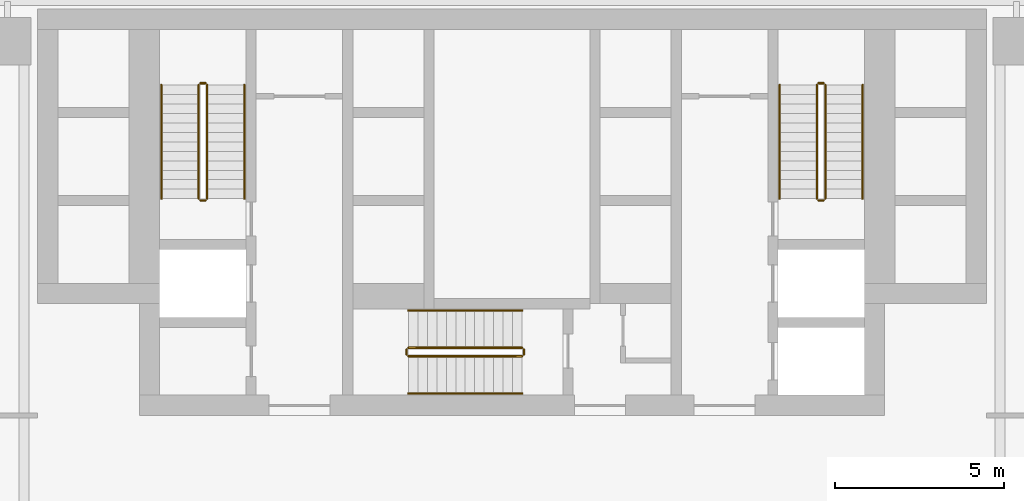
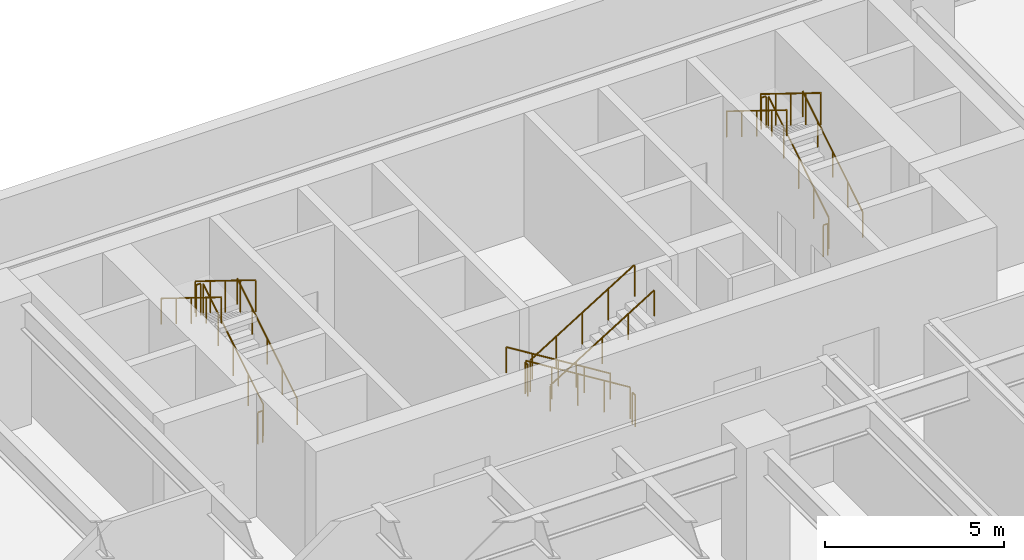
# One storey, part 20 of 20: 18 railings.
"""IFC4 building model written with IfcOpenShell, lengths in metres."""

import ifcopenshell
import ifcopenshell.guid

model = None  # the IFC model being written
_history = None  # IfcOwnerHistory: only IFC2X3 demands one
_inside = {}  # id of a spatial element -> (the spatial element, [elements in it])
_under = {}  # id of a project, library or spatial element -> (it, [spatial elements below it])
_declared = {}  # id of a project -> (the project, [libraries it declares])
_typed = {}  # id of a type object -> (the type object, [elements of that type])
_made_of = {}  # id of a material, layer set ... -> (it, [elements and type objects made of it])


def new_model(schema):
    """Start an empty IFC model of exactly this schema.

    Asked for "IFC4X3", IfcOpenShell would pick the latest addendum, in which some entities
    have other attributes; the version numbers below select the first issue.
    IFC2X3 requires an IfcOwnerHistory on every rooted entity: one is made here for all.
    """
    global model, _history
    if schema == "IFC4X3":
        model = ifcopenshell.file(schema_version=(4, 3, 0, 0))
    else:
        model = ifcopenshell.file(schema=schema)
    _inside.clear()
    _under.clear()
    _declared.clear()
    _typed.clear()
    _made_of.clear()
    _history = None
    if model.schema == "IFC2X3":
        org = make("IfcOrganization", Name="unknown")
        user = make(
            "IfcPersonAndOrganization",
            ThePerson=make("IfcPerson", FamilyName="unknown"),
            TheOrganization=org,
        )
        app = make(
            "IfcApplication",
            ApplicationDeveloper=org,
            Version="unknown",
            ApplicationFullName="unknown",
            ApplicationIdentifier="unknown",
        )
        _history = make(
            "IfcOwnerHistory",
            OwningUser=user,
            OwningApplication=app,
            ChangeAction="ADDED",
            CreationDate=0,
        )
    return model


def make(cls, **values):
    """One entity of the class cls with the attributes given. An attribute that is None is left unset."""
    return model.create_entity(
        cls, **{name: value for name, value in values.items() if value is not None}
    )


def rooted(cls, **values):
    """An entity with a GlobalId (a new one), such as an element, a storey or a relation."""
    return make(cls, GlobalId=ifcopenshell.guid.new(), OwnerHistory=_history, **values)


def si_unit(unit_type, name, prefix=None):
    """IfcSIUnit, for example si_unit("LENGTHUNIT", "METRE", prefix="MILLI")."""
    return make("IfcSIUnit", UnitType=unit_type, Prefix=prefix, Name=name)


def assignment(units):
    """IfcUnitAssignment: the units of a project."""
    return None if units is None else make("IfcUnitAssignment", Units=units)


def point(xyz):
    """IfcCartesianPoint."""
    return None if xyz is None else make("IfcCartesianPoint", Coordinates=xyz)


def direction(xyz):
    """IfcDirection."""
    return None if xyz is None else make("IfcDirection", DirectionRatios=xyz)


def frame(location, z_axis=None, x_axis=None):
    """IfcAxis2Placement3D, a coordinate frame: its origin and axes. An axis left out is left unset."""
    return make(
        "IfcAxis2Placement3D",
        Location=point(location),
        Axis=direction(z_axis),
        RefDirection=direction(x_axis),
    )


def frame_2d(location, x_axis=None):
    """IfcAxis2Placement2D, a coordinate frame in the plane: its origin and x axis."""
    return make(
        "IfcAxis2Placement2D", Location=point(location), RefDirection=direction(x_axis)
    )


def origin():
    """The frame at (0, 0, 0) with its axes left unset."""
    return frame((0.0, 0.0, 0.0))


def origin_2d():
    """The frame at (0, 0) in the plane with its x axis left unset."""
    return frame_2d((0.0, 0.0))


def place(relative_to, where):
    """IfcLocalPlacement: puts the frame where relative to a parent placement (None: the world)."""
    return make(
        "IfcLocalPlacement", PlacementRelTo=relative_to, RelativePlacement=where
    )


def context(
    kind, dimensions, precision=None, world=None, true_north=None, identifier=None
):
    """IfcGeometricRepresentationContext, for example the 3D "Model" context."""
    return make(
        "IfcGeometricRepresentationContext",
        ContextIdentifier=identifier,
        ContextType=kind,
        CoordinateSpaceDimension=dimensions,
        Precision=precision,
        WorldCoordinateSystem=world,
        TrueNorth=true_north,
    )


def subcontext(parent, identifier, kind, view, scale=None):
    """IfcGeometricRepresentationSubContext, for example "Body" below "Model"."""
    return make(
        "IfcGeometricRepresentationSubContext",
        ContextIdentifier=identifier,
        ContextType=kind,
        ParentContext=parent,
        TargetScale=scale,
        TargetView=view,
    )


def project(units=None, contexts=None):
    """IfcProject with its units and contexts."""
    return rooted(
        "IfcProject",
        Name="project",
        RepresentationContexts=contexts,
        UnitsInContext=assignment(units),
    )


def spatial(cls, under=None, at=None, **own):
    """A site, building, storey or space (cls), placed at a placement, below another one or the project."""
    s = rooted(cls, ObjectPlacement=at, **own)
    if under is not None:
        _under.setdefault(under.id(), (under, []))[1].append(s)
    return s


def profile(cls, at=None, kind="AREA", **sizes):
    """A parametric profile (cls). Its sizes go by their IFC names, for example OverallWidth=200.0."""
    return make(cls, ProfileType=kind, Position=at, **sizes)


def circle(**sizes):
    """IfcCircleProfileDef."""
    return profile("IfcCircleProfileDef", **sizes)


def extrude(swept, where, along, depth):
    """IfcExtrudedAreaSolid: the profile swept, set in the frame where, extruded along a direction by depth."""
    return make(
        "IfcExtrudedAreaSolid",
        SweptArea=swept,
        Position=where,
        ExtrudedDirection=direction(along),
        Depth=depth,
    )


def shape(context_of_items, identifier, shape_type, items):
    """IfcShapeRepresentation: the items that make up one representation, for example the "Body"."""
    return make(
        "IfcShapeRepresentation",
        ContextOfItems=context_of_items,
        RepresentationIdentifier=identifier,
        RepresentationType=shape_type,
        Items=items,
    )


def material(Name=None, Category=None):
    """IfcMaterial."""
    return make("IfcMaterial", Name=Name, Category=Category)


def made_of(thing, what):
    """Note that an element or type object is made of a material, layer set ...; save() writes the relation."""
    if what is not None:
        _made_of.setdefault(what.id(), (what, []))[1].append(thing)
    return thing


def type_object(cls, material=None, **own):
    """A type object (cls), such as IfcWallType, which elements share."""
    return made_of(rooted(cls, **own), material)


def element(
    cls,
    number,
    at=None,
    inside=None,
    cuts=None,
    type_object=None,
    material=None,
    context=None,
    identifier="Body",
    shape_type=None,
    held_by="IfcProductDefinitionShape",
    body=None,
    shapes=None,
    **own,
):
    """One element of the class cls, such as IfcWall. Its Tag is "e" and its number.

    at: its placement. inside: the storey or other place that contains it. cuts: it is an
    opening in that element (IfcRelVoidsElement). A single representation is given by context,
    identifier, shape_type and body (its items); several are given by shapes. held_by: the class
    of the entity that holds the representations. save() writes the other relations.
    """
    e = rooted(cls, Tag="e%d" % number, ObjectPlacement=at, **own)
    if body is not None:
        shapes = [shape(context, identifier, shape_type, body)]
    if shapes is not None:
        e.Representation = make(held_by, Representations=shapes)
    if inside is not None:
        _inside.setdefault(inside.id(), (inside, []))[1].append(e)
    if cuts is not None:
        rooted(
            "IfcRelVoidsElement", RelatingBuildingElement=cuts, RelatedOpeningElement=e
        )
    if type_object is not None:
        _typed.setdefault(type_object.id(), (type_object, []))[1].append(e)
    return made_of(e, material)


def aggregate(whole, parts):
    """IfcRelAggregates: a whole, such as a stair, and the parts it consists of."""
    return rooted("IfcRelAggregates", RelatingObject=whole, RelatedObjects=parts)


def save(model, path):
    """Write the relations noted so far, then the file.

    IfcRelAggregates (storeys below a building ...), IfcRelContainedInSpatialStructure (elements
    in a storey), IfcRelDefinesByType, IfcRelAssociatesMaterial and IfcRelDeclares: one each for
    every whole, place, type object, material and project.
    """
    for whole, parts in _under.values():
        aggregate(whole, parts)
    for where, things in _inside.values():
        rooted(
            "IfcRelContainedInSpatialStructure",
            RelatedElements=things,
            RelatingStructure=where,
        )
    for kind, things in _typed.values():
        rooted("IfcRelDefinesByType", RelatedObjects=things, RelatingType=kind)
    for what, things in _made_of.values():
        rooted("IfcRelAssociatesMaterial", RelatedObjects=things, RelatingMaterial=what)
    for by, libraries in _declared.values():
        rooted("IfcRelDeclares", RelatingContext=by, RelatedDefinitions=libraries)
    model.write(path)


model = new_model("IFC4")

# Units and contexts
model_context = context("Model", 3, precision=1e-05, world=origin(), true_north=direction((0.0, 1.0)))
body_context = subcontext(model_context, "Body", "Model", "MODEL_VIEW")
ifc_project = project(units=[si_unit("LENGTHUNIT", "METRE"), si_unit("AREAUNIT", "SQUARE_METRE"), si_unit("VOLUMEUNIT", "CUBIC_METRE"), si_unit("PLANEANGLEUNIT", "RADIAN"), si_unit("MASSUNIT", "GRAM", prefix="KILO")], contexts=[model_context])

# Site, building, storey
site_placement = place(None, origin())
site = spatial("IfcSite", under=ifc_project, at=site_placement, CompositionType="ELEMENT")
building_placement = place(site_placement, origin())
building = spatial("IfcBuilding", under=site, at=building_placement, Name="Aloe Facet Convention Tower", CompositionType="ELEMENT")
storey_placement = place(building_placement, frame((0.0, 0.0, -4.5)))
storey = spatial("IfcBuildingStorey", under=building, at=storey_placement, Name="B1", CompositionType="ELEMENT", Elevation=-4.5)

# Railings
ifc_material_1 = material(Name="Steel S355 balustrade", Category="steel")
railing_type_1 = type_object("IfcRailingType", Name="CR-RL-GUARD", PredefinedType="GUARDRAIL", material=ifc_material_1)
railing_1_placement = place(storey_placement, frame((71.0, 128.949951171875, 0.173095703125)))
element("IfcRailing", 1, at=railing_1_placement, inside=storey, type_object=railing_type_1, Name="B1 ST1 stair guard 1", PredefinedType="GUARDRAIL", context=body_context, shape_type="SweptSolid", body=[
    extrude(circle(Radius=0.02392578125, at=origin_2d()), frame((0.0, 0.0, 1.076171875), z_axis=(0.0, 0.850623216509, 0.525775754039), x_axis=(-1.0, 0.0, 0.0)), (0.0, 0.0, 1.0), 3.9501953125),
    extrude(circle(Radius=0.02099609375, at=origin_2d()), origin(), (0.0, 0.0, 1.0), 1.052001953125),
    extrude(circle(Radius=0.02099609375, at=origin_2d()), frame((0.0, 0.840087890625, 0.519287109375)), (0.0, 0.0, 1.0), 1.052001953125),
    extrude(circle(Radius=0.02099609375, at=origin_2d()), frame((0.0, 1.68017578125, 1.03857421875)), (0.0, 0.0, 1.0), 1.052001953125),
    extrude(circle(Radius=0.02099609375, at=origin_2d()), frame((0.0, 2.52001953125, 1.5576171875)), (0.0, 0.0, 1.0), 1.052001953125),
    extrude(circle(Radius=0.02099609375, at=origin_2d()), frame((0.0, 3.360107421875, 2.076904296875)), (0.0, 0.0, 1.0), 1.052001953125),
])
railing_2_placement = place(storey_placement, frame((70.949951171875, 132.360107421875, 2.25)))
element("IfcRailing", 2, at=railing_2_placement, inside=storey, type_object=railing_type_1, Name="B1 ST1 stair guard 2", PredefinedType="GUARDRAIL", context=body_context, shape_type="SweptSolid", body=[
    extrude(circle(Radius=0.02392578125, at=origin_2d()), frame((0.0, 0.0, 1.076171875), z_axis=(-1.0, 0.0, 0.0), x_axis=(0.0, -1.0, 0.0)), (0.0, 0.0, 1.0), 0.14990234375),
    extrude(circle(Radius=0.02099609375, at=origin_2d()), origin(), (0.0, 0.0, 1.0), 1.052001953125),
    extrude(circle(Radius=0.02099609375, at=origin_2d()), frame((-0.14990234375, 0.0, 0.0)), (0.0, 0.0, 1.0), 1.052001953125),
])
railing_3_placement = place(storey_placement, frame((70.75, 132.31005859375, 2.423095703125)))
element("IfcRailing", 3, at=railing_3_placement, inside=storey, type_object=railing_type_1, Name="B1 ST1 stair guard 3", PredefinedType="GUARDRAIL", context=body_context, shape_type="SweptSolid", body=[
    extrude(circle(Radius=0.02392578125, at=origin_2d()), frame((0.0, 0.0, 1.076171875), z_axis=(0.0, -0.850623216509, 0.525775754039), x_axis=(1.0, 0.0, 0.0)), (0.0, 0.0, 1.0), 3.9501953125),
    extrude(circle(Radius=0.02099609375, at=origin_2d()), origin(), (0.0, 0.0, 1.0), 1.052001953125),
    extrude(circle(Radius=0.02099609375, at=origin_2d()), frame((0.0, -0.840087890625, 0.519287109375)), (0.0, 0.0, 1.0), 1.052001953125),
    extrude(circle(Radius=0.02099609375, at=origin_2d()), frame((0.0, -1.68017578125, 1.03857421875)), (0.0, 0.0, 1.0), 1.052001953125),
    extrude(circle(Radius=0.02099609375, at=origin_2d()), frame((0.0, -2.52001953125, 1.5576171875)), (0.0, 0.0, 1.0), 1.052001953125),
    extrude(circle(Radius=0.02099609375, at=origin_2d()), frame((0.0, -3.360107421875, 2.076904296875)), (0.0, 0.0, 1.0), 1.052001953125),
])
railing_4_placement = place(storey_placement, frame((70.949951171875, 128.89990234375, 0.0)))
element("IfcRailing", 4, at=railing_4_placement, inside=storey, type_object=railing_type_1, Name="B1 ST1 stair guard 4", PredefinedType="GUARDRAIL", context=body_context, shape_type="SweptSolid", body=[
    extrude(circle(Radius=0.02392578125, at=origin_2d()), frame((0.0, 0.0, 1.076171875), z_axis=(-1.0, 0.0, 0.0), x_axis=(0.0, -1.0, 0.0)), (0.0, 0.0, 1.0), 0.14990234375),
    extrude(circle(Radius=0.02099609375, at=origin_2d()), origin(), (0.0, 0.0, 1.0), 1.052001953125),
    extrude(circle(Radius=0.02099609375, at=origin_2d()), frame((-0.14990234375, 0.0, 0.0)), (0.0, 0.0, 1.0), 1.052001953125),
])
railing_5_placement = place(storey_placement, frame((89.25, 128.949951171875, 0.173095703125)))
element("IfcRailing", 5, at=railing_5_placement, inside=storey, type_object=railing_type_1, Name="B1 ST2 stair guard 1", PredefinedType="GUARDRAIL", context=body_context, shape_type="SweptSolid", body=[
    extrude(circle(Radius=0.02392578125, at=origin_2d()), frame((0.0, 0.0, 1.076171875), z_axis=(0.0, 0.850623216509, 0.525775754039), x_axis=(-1.0, 0.0, 0.0)), (0.0, 0.0, 1.0), 3.9501953125),
    extrude(circle(Radius=0.02099609375, at=origin_2d()), origin(), (0.0, 0.0, 1.0), 1.052001953125),
    extrude(circle(Radius=0.02099609375, at=origin_2d()), frame((0.0, 0.840087890625, 0.519287109375)), (0.0, 0.0, 1.0), 1.052001953125),
    extrude(circle(Radius=0.02099609375, at=origin_2d()), frame((0.0, 1.68017578125, 1.03857421875)), (0.0, 0.0, 1.0), 1.052001953125),
    extrude(circle(Radius=0.02099609375, at=origin_2d()), frame((0.0, 2.52001953125, 1.5576171875)), (0.0, 0.0, 1.0), 1.052001953125),
    extrude(circle(Radius=0.02099609375, at=origin_2d()), frame((0.0, 3.360107421875, 2.076904296875)), (0.0, 0.0, 1.0), 1.052001953125),
])
railing_6_placement = place(storey_placement, frame((89.199951171875, 132.360107421875, 2.25)))
element("IfcRailing", 6, at=railing_6_placement, inside=storey, type_object=railing_type_1, Name="B1 ST2 stair guard 2", PredefinedType="GUARDRAIL", context=body_context, shape_type="SweptSolid", body=[
    extrude(circle(Radius=0.02392578125, at=origin_2d()), frame((0.0, 0.0, 1.076171875), z_axis=(-1.0, 0.0, 0.0), x_axis=(0.0, -1.0, 0.0)), (0.0, 0.0, 1.0), 0.14990234375),
    extrude(circle(Radius=0.02099609375, at=origin_2d()), origin(), (0.0, 0.0, 1.0), 1.052001953125),
    extrude(circle(Radius=0.02099609375, at=origin_2d()), frame((-0.14990234375, 0.0, 0.0)), (0.0, 0.0, 1.0), 1.052001953125),
])
railing_7_placement = place(storey_placement, frame((89.0, 132.31005859375, 2.423095703125)))
element("IfcRailing", 7, at=railing_7_placement, inside=storey, type_object=railing_type_1, Name="B1 ST2 stair guard 3", PredefinedType="GUARDRAIL", context=body_context, shape_type="SweptSolid", body=[
    extrude(circle(Radius=0.02392578125, at=origin_2d()), frame((0.0, 0.0, 1.076171875), z_axis=(0.0, -0.850623216509, 0.525775754039), x_axis=(1.0, 0.0, 0.0)), (0.0, 0.0, 1.0), 3.9501953125),
    extrude(circle(Radius=0.02099609375, at=origin_2d()), origin(), (0.0, 0.0, 1.0), 1.052001953125),
    extrude(circle(Radius=0.02099609375, at=origin_2d()), frame((0.0, -0.840087890625, 0.519287109375)), (0.0, 0.0, 1.0), 1.052001953125),
    extrude(circle(Radius=0.02099609375, at=origin_2d()), frame((0.0, -1.68017578125, 1.03857421875)), (0.0, 0.0, 1.0), 1.052001953125),
    extrude(circle(Radius=0.02099609375, at=origin_2d()), frame((0.0, -2.52001953125, 1.5576171875)), (0.0, 0.0, 1.0), 1.052001953125),
    extrude(circle(Radius=0.02099609375, at=origin_2d()), frame((0.0, -3.360107421875, 2.076904296875)), (0.0, 0.0, 1.0), 1.052001953125),
])
railing_8_placement = place(storey_placement, frame((89.199951171875, 128.89990234375, 0.0)))
element("IfcRailing", 8, at=railing_8_placement, inside=storey, type_object=railing_type_1, Name="B1 ST2 stair guard 4", PredefinedType="GUARDRAIL", context=body_context, shape_type="SweptSolid", body=[
    extrude(circle(Radius=0.02392578125, at=origin_2d()), frame((0.0, 0.0, 1.076171875), z_axis=(-1.0, 0.0, 0.0), x_axis=(0.0, -1.0, 0.0)), (0.0, 0.0, 1.0), 0.14990234375),
    extrude(circle(Radius=0.02099609375, at=origin_2d()), origin(), (0.0, 0.0, 1.0), 1.052001953125),
    extrude(circle(Radius=0.02099609375, at=origin_2d()), frame((-0.14990234375, 0.0, 0.0)), (0.0, 0.0, 1.0), 1.052001953125),
])
railing_9_placement = place(storey_placement, frame((80.300048828125, 124.550048828125, 0.173095703125)))
element("IfcRailing", 9, at=railing_9_placement, inside=storey, type_object=railing_type_1, Name="B1 ST3 stair guard 1", PredefinedType="GUARDRAIL", context=body_context, shape_type="SweptSolid", body=[
    extrude(circle(Radius=0.02392578125, at=origin_2d()), frame((0.0, 0.0, 1.076171875), z_axis=(-0.850623216509, 0.0, 0.525775754039), x_axis=(0.0, -1.0, 0.0)), (0.0, 0.0, 1.0), 3.9501953125),
    extrude(circle(Radius=0.02099609375, at=origin_2d()), origin(), (0.0, 0.0, 1.0), 1.052001953125),
    extrude(circle(Radius=0.02099609375, at=origin_2d()), frame((-0.840087890625, 0.0, 0.519287109375)), (0.0, 0.0, 1.0), 1.052001953125),
    extrude(circle(Radius=0.02099609375, at=origin_2d()), frame((-1.68017578125, 0.0, 1.03857421875)), (0.0, 0.0, 1.0), 1.052001953125),
    extrude(circle(Radius=0.02099609375, at=origin_2d()), frame((-2.52001953125, 0.0, 1.5576171875)), (0.0, 0.0, 1.0), 1.052001953125),
    extrude(circle(Radius=0.02099609375, at=origin_2d()), frame((-3.360107421875, 0.0, 2.076904296875)), (0.0, 0.0, 1.0), 1.052001953125),
])
railing_10_placement = place(storey_placement, frame((76.889892578125, 124.5, 2.25)))
element("IfcRailing", 10, at=railing_10_placement, inside=storey, type_object=railing_type_1, Name="B1 ST3 stair guard 2", PredefinedType="GUARDRAIL", context=body_context, shape_type="SweptSolid", body=[
    extrude(circle(Radius=0.02392578125, at=origin_2d()), frame((0.0, 0.0, 1.076171875), z_axis=(0.0, -1.0, 0.0), x_axis=(1.0, 0.0, 0.0)), (0.0, 0.0, 1.0), 0.14990234375),
    extrude(circle(Radius=0.02099609375, at=origin_2d()), origin(), (0.0, 0.0, 1.0), 1.052001953125),
    extrude(circle(Radius=0.02099609375, at=origin_2d()), frame((0.0, -0.14990234375, 0.0)), (0.0, 0.0, 1.0), 1.052001953125),
])
railing_11_placement = place(storey_placement, frame((76.93994140625, 124.300048828125, 2.423095703125)))
element("IfcRailing", 11, at=railing_11_placement, inside=storey, type_object=railing_type_1, Name="B1 ST3 stair guard 3", PredefinedType="GUARDRAIL", context=body_context, shape_type="SweptSolid", body=[
    extrude(circle(Radius=0.02392578125, at=origin_2d()), frame((0.0, 0.0, 1.076171875), z_axis=(0.850623216509, 0.0, 0.525775754039), x_axis=(0.0, 1.0, 0.0)), (0.0, 0.0, 1.0), 3.9501953125),
    extrude(circle(Radius=0.02099609375, at=origin_2d()), origin(), (0.0, 0.0, 1.0), 1.052001953125),
    extrude(circle(Radius=0.02099609375, at=origin_2d()), frame((0.840087890625, 0.0, 0.519287109375)), (0.0, 0.0, 1.0), 1.052001953125),
    extrude(circle(Radius=0.02099609375, at=origin_2d()), frame((1.68017578125, 0.0, 1.03857421875)), (0.0, 0.0, 1.0), 1.052001953125),
    extrude(circle(Radius=0.02099609375, at=origin_2d()), frame((2.52001953125, 0.0, 1.5576171875)), (0.0, 0.0, 1.0), 1.052001953125),
    extrude(circle(Radius=0.02099609375, at=origin_2d()), frame((3.360107421875, 0.0, 2.076904296875)), (0.0, 0.0, 1.0), 1.052001953125),
])
railing_12_placement = place(storey_placement, frame((80.35009765625, 124.5, 0.0)))
element("IfcRailing", 12, at=railing_12_placement, inside=storey, type_object=railing_type_1, Name="B1 ST3 stair guard 4", PredefinedType="GUARDRAIL", context=body_context, shape_type="SweptSolid", body=[
    extrude(circle(Radius=0.02392578125, at=origin_2d()), frame((0.0, 0.0, 1.076171875), z_axis=(0.0, -1.0, 0.0), x_axis=(1.0, 0.0, 0.0)), (0.0, 0.0, 1.0), 0.14990234375),
    extrude(circle(Radius=0.02099609375, at=origin_2d()), origin(), (0.0, 0.0, 1.0), 1.052001953125),
    extrude(circle(Radius=0.02099609375, at=origin_2d()), frame((0.0, -0.14990234375, 0.0)), (0.0, 0.0, 1.0), 1.052001953125),
])
ifc_material_2 = material(Name="Steel S355 handrail", Category="steel")
railing_type_2 = type_object("IfcRailingType", Name="CR-RL-HAND", PredefinedType="HANDRAIL", material=ifc_material_2)
railing_13_placement = place(storey_placement, frame((72.10009765625, 128.949951171875, 0.173095703125)))
element("IfcRailing", 13, at=railing_13_placement, inside=storey, type_object=railing_type_2, Name="B1 ST1 stair handrail 1", PredefinedType="HANDRAIL", context=body_context, shape_type="SweptSolid", body=[
    extrude(circle(Radius=0.02392578125, at=origin_2d()), frame((0.0, 0.0, 0.8759765625), z_axis=(0.0, 0.850623216509, 0.525775754039), x_axis=(-1.0, 0.0, 0.0)), (0.0, 0.0, 1.0), 3.9501953125),
    extrude(circle(Radius=0.02099609375, at=origin_2d()), origin(), (0.0, 0.0, 1.0), 0.851806640625),
    extrude(circle(Radius=0.02099609375, at=origin_2d()), frame((0.0, 0.840087890625, 0.519287109375)), (0.0, 0.0, 1.0), 0.851806640625),
    extrude(circle(Radius=0.02099609375, at=origin_2d()), frame((0.0, 1.68017578125, 1.03857421875)), (0.0, 0.0, 1.0), 0.851806640625),
    extrude(circle(Radius=0.02099609375, at=origin_2d()), frame((0.0, 2.52001953125, 1.5576171875)), (0.0, 0.0, 1.0), 0.851806640625),
    extrude(circle(Radius=0.02099609375, at=origin_2d()), frame((0.0, 3.360107421875, 2.076904296875)), (0.0, 0.0, 1.0), 0.851806640625),
])
railing_14_placement = place(storey_placement, frame((69.64990234375, 132.31005859375, 2.423095703125)))
element("IfcRailing", 14, at=railing_14_placement, inside=storey, type_object=railing_type_2, Name="B1 ST1 stair handrail 2", PredefinedType="HANDRAIL", context=body_context, shape_type="SweptSolid", body=[
    extrude(circle(Radius=0.02392578125, at=origin_2d()), frame((0.0, 0.0, 0.8759765625), z_axis=(0.0, -0.850623216509, 0.525775754039), x_axis=(1.0, 0.0, 0.0)), (0.0, 0.0, 1.0), 3.9501953125),
    extrude(circle(Radius=0.02099609375, at=origin_2d()), origin(), (0.0, 0.0, 1.0), 0.851806640625),
    extrude(circle(Radius=0.02099609375, at=origin_2d()), frame((0.0, -0.840087890625, 0.519287109375)), (0.0, 0.0, 1.0), 0.851806640625),
    extrude(circle(Radius=0.02099609375, at=origin_2d()), frame((0.0, -1.68017578125, 1.03857421875)), (0.0, 0.0, 1.0), 0.851806640625),
    extrude(circle(Radius=0.02099609375, at=origin_2d()), frame((0.0, -2.52001953125, 1.5576171875)), (0.0, 0.0, 1.0), 0.851806640625),
    extrude(circle(Radius=0.02099609375, at=origin_2d()), frame((0.0, -3.360107421875, 2.076904296875)), (0.0, 0.0, 1.0), 0.851806640625),
])
railing_15_placement = place(storey_placement, frame((90.35009765625, 128.949951171875, 0.173095703125)))
element("IfcRailing", 15, at=railing_15_placement, inside=storey, type_object=railing_type_2, Name="B1 ST2 stair handrail 1", PredefinedType="HANDRAIL", context=body_context, shape_type="SweptSolid", body=[
    extrude(circle(Radius=0.02392578125, at=origin_2d()), frame((0.0, 0.0, 0.8759765625), z_axis=(0.0, 0.850623216509, 0.525775754039), x_axis=(-1.0, 0.0, 0.0)), (0.0, 0.0, 1.0), 3.9501953125),
    extrude(circle(Radius=0.02099609375, at=origin_2d()), origin(), (0.0, 0.0, 1.0), 0.851806640625),
    extrude(circle(Radius=0.02099609375, at=origin_2d()), frame((0.0, 0.840087890625, 0.519287109375)), (0.0, 0.0, 1.0), 0.851806640625),
    extrude(circle(Radius=0.02099609375, at=origin_2d()), frame((0.0, 1.68017578125, 1.03857421875)), (0.0, 0.0, 1.0), 0.851806640625),
    extrude(circle(Radius=0.02099609375, at=origin_2d()), frame((0.0, 2.52001953125, 1.5576171875)), (0.0, 0.0, 1.0), 0.851806640625),
    extrude(circle(Radius=0.02099609375, at=origin_2d()), frame((0.0, 3.360107421875, 2.076904296875)), (0.0, 0.0, 1.0), 0.851806640625),
])
railing_16_placement = place(storey_placement, frame((87.89990234375, 132.31005859375, 2.423095703125)))
element("IfcRailing", 16, at=railing_16_placement, inside=storey, type_object=railing_type_2, Name="B1 ST2 stair handrail 2", PredefinedType="HANDRAIL", context=body_context, shape_type="SweptSolid", body=[
    extrude(circle(Radius=0.02392578125, at=origin_2d()), frame((0.0, 0.0, 0.8759765625), z_axis=(0.0, -0.850623216509, 0.525775754039), x_axis=(1.0, 0.0, 0.0)), (0.0, 0.0, 1.0), 3.9501953125),
    extrude(circle(Radius=0.02099609375, at=origin_2d()), origin(), (0.0, 0.0, 1.0), 0.851806640625),
    extrude(circle(Radius=0.02099609375, at=origin_2d()), frame((0.0, -0.840087890625, 0.519287109375)), (0.0, 0.0, 1.0), 0.851806640625),
    extrude(circle(Radius=0.02099609375, at=origin_2d()), frame((0.0, -1.68017578125, 1.03857421875)), (0.0, 0.0, 1.0), 0.851806640625),
    extrude(circle(Radius=0.02099609375, at=origin_2d()), frame((0.0, -2.52001953125, 1.5576171875)), (0.0, 0.0, 1.0), 0.851806640625),
    extrude(circle(Radius=0.02099609375, at=origin_2d()), frame((0.0, -3.360107421875, 2.076904296875)), (0.0, 0.0, 1.0), 0.851806640625),
])
railing_17_placement = place(storey_placement, frame((80.300048828125, 125.64990234375, 0.173095703125)))
element("IfcRailing", 17, at=railing_17_placement, inside=storey, type_object=railing_type_2, Name="B1 ST3 stair handrail 1", PredefinedType="HANDRAIL", context=body_context, shape_type="SweptSolid", body=[
    extrude(circle(Radius=0.02392578125, at=origin_2d()), frame((0.0, 0.0, 0.8759765625), z_axis=(-0.850623216509, 0.0, 0.525775754039), x_axis=(0.0, -1.0, 0.0)), (0.0, 0.0, 1.0), 3.9501953125),
    extrude(circle(Radius=0.02099609375, at=origin_2d()), origin(), (0.0, 0.0, 1.0), 0.851806640625),
    extrude(circle(Radius=0.02099609375, at=origin_2d()), frame((-0.840087890625, 0.0, 0.519287109375)), (0.0, 0.0, 1.0), 0.851806640625),
    extrude(circle(Radius=0.02099609375, at=origin_2d()), frame((-1.68017578125, 0.0, 1.03857421875)), (0.0, 0.0, 1.0), 0.851806640625),
    extrude(circle(Radius=0.02099609375, at=origin_2d()), frame((-2.52001953125, 0.0, 1.5576171875)), (0.0, 0.0, 1.0), 0.851806640625),
    extrude(circle(Radius=0.02099609375, at=origin_2d()), frame((-3.360107421875, 0.0, 2.076904296875)), (0.0, 0.0, 1.0), 0.851806640625),
])
railing_18_placement = place(storey_placement, frame((76.93994140625, 123.199951171875, 2.423095703125)))
element("IfcRailing", 18, at=railing_18_placement, inside=storey, type_object=railing_type_2, Name="B1 ST3 stair handrail 2", PredefinedType="HANDRAIL", context=body_context, shape_type="SweptSolid", body=[
    extrude(circle(Radius=0.02392578125, at=origin_2d()), frame((0.0, 0.0, 0.8759765625), z_axis=(0.850623216509, 0.0, 0.525775754039), x_axis=(0.0, 1.0, 0.0)), (0.0, 0.0, 1.0), 3.9501953125),
    extrude(circle(Radius=0.02099609375, at=origin_2d()), origin(), (0.0, 0.0, 1.0), 0.851806640625),
    extrude(circle(Radius=0.02099609375, at=origin_2d()), frame((0.840087890625, 0.0, 0.519287109375)), (0.0, 0.0, 1.0), 0.851806640625),
    extrude(circle(Radius=0.02099609375, at=origin_2d()), frame((1.68017578125, 0.0, 1.03857421875)), (0.0, 0.0, 1.0), 0.851806640625),
    extrude(circle(Radius=0.02099609375, at=origin_2d()), frame((2.52001953125, 0.0, 1.5576171875)), (0.0, 0.0, 1.0), 0.851806640625),
    extrude(circle(Radius=0.02099609375, at=origin_2d()), frame((3.360107421875, 0.0, 2.076904296875)), (0.0, 0.0, 1.0), 0.851806640625),
])

save(model, "model.ifc")
